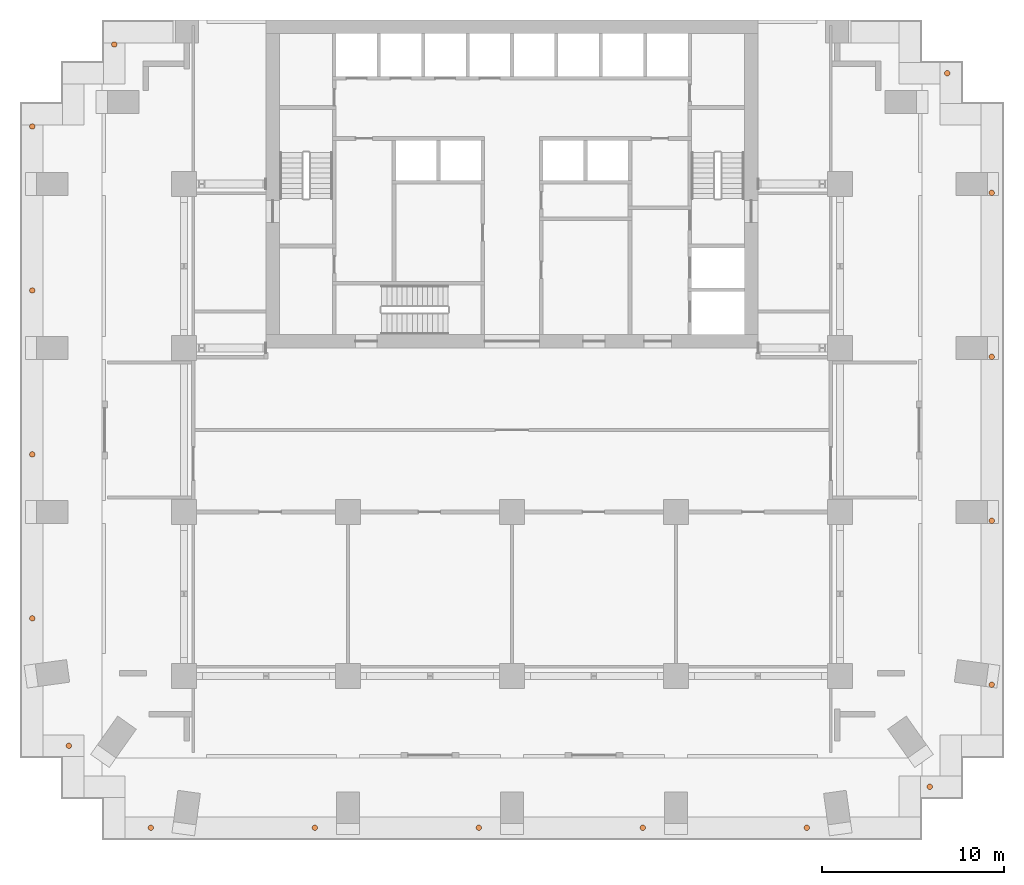
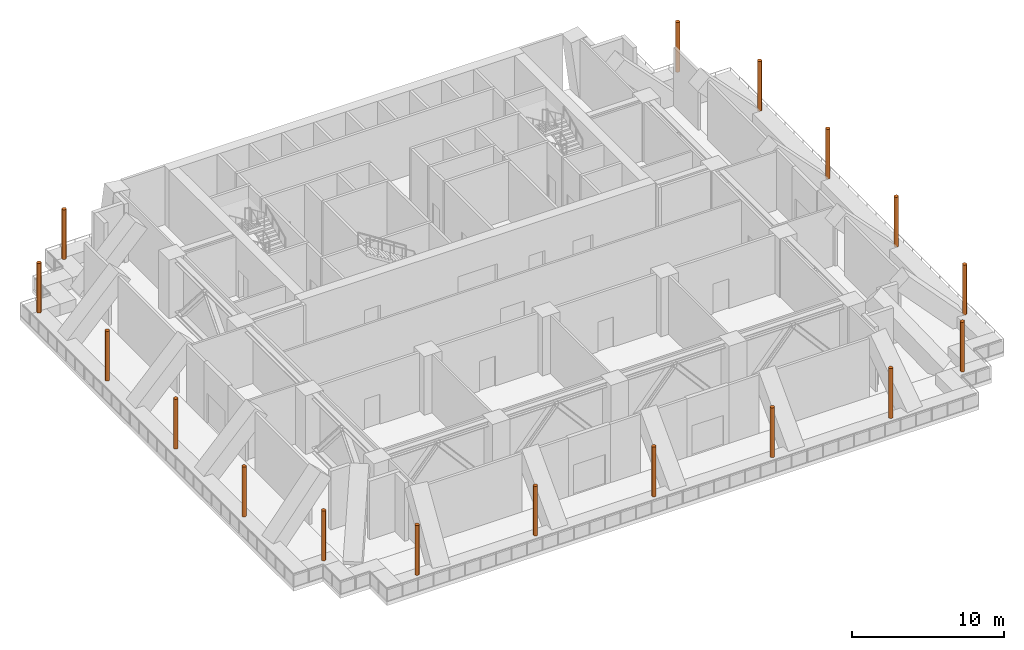
# One storey, part 9 of 9: 17 geographic elements.
"""IFC4 building model written with IfcOpenShell, lengths in metres."""

import ifcopenshell
import ifcopenshell.guid

model = None  # the IFC model being written
_history = None  # IfcOwnerHistory: only IFC2X3 demands one
_inside = {}  # id of a spatial element -> (the spatial element, [elements in it])
_under = {}  # id of a project, library or spatial element -> (it, [spatial elements below it])
_declared = {}  # id of a project -> (the project, [libraries it declares])
_typed = {}  # id of a type object -> (the type object, [elements of that type])
_made_of = {}  # id of a material, layer set ... -> (it, [elements and type objects made of it])


def new_model(schema):
    """Start an empty IFC model of exactly this schema.

    Asked for "IFC4X3", IfcOpenShell would pick the latest addendum, in which some entities
    have other attributes; the version numbers below select the first issue.
    IFC2X3 requires an IfcOwnerHistory on every rooted entity: one is made here for all.
    """
    global model, _history
    if schema == "IFC4X3":
        model = ifcopenshell.file(schema_version=(4, 3, 0, 0))
    else:
        model = ifcopenshell.file(schema=schema)
    _inside.clear()
    _under.clear()
    _declared.clear()
    _typed.clear()
    _made_of.clear()
    _history = None
    if model.schema == "IFC2X3":
        org = make("IfcOrganization", Name="unknown")
        user = make(
            "IfcPersonAndOrganization",
            ThePerson=make("IfcPerson", FamilyName="unknown"),
            TheOrganization=org,
        )
        app = make(
            "IfcApplication",
            ApplicationDeveloper=org,
            Version="unknown",
            ApplicationFullName="unknown",
            ApplicationIdentifier="unknown",
        )
        _history = make(
            "IfcOwnerHistory",
            OwningUser=user,
            OwningApplication=app,
            ChangeAction="ADDED",
            CreationDate=0,
        )
    return model


def make(cls, **values):
    """One entity of the class cls with the attributes given. An attribute that is None is left unset."""
    return model.create_entity(
        cls, **{name: value for name, value in values.items() if value is not None}
    )


def rooted(cls, **values):
    """An entity with a GlobalId (a new one), such as an element, a storey or a relation."""
    return make(cls, GlobalId=ifcopenshell.guid.new(), OwnerHistory=_history, **values)


def si_unit(unit_type, name, prefix=None):
    """IfcSIUnit, for example si_unit("LENGTHUNIT", "METRE", prefix="MILLI")."""
    return make("IfcSIUnit", UnitType=unit_type, Prefix=prefix, Name=name)


def assignment(units):
    """IfcUnitAssignment: the units of a project."""
    return None if units is None else make("IfcUnitAssignment", Units=units)


def point(xyz):
    """IfcCartesianPoint."""
    return None if xyz is None else make("IfcCartesianPoint", Coordinates=xyz)


def direction(xyz):
    """IfcDirection."""
    return None if xyz is None else make("IfcDirection", DirectionRatios=xyz)


def frame(location, z_axis=None, x_axis=None):
    """IfcAxis2Placement3D, a coordinate frame: its origin and axes. An axis left out is left unset."""
    return make(
        "IfcAxis2Placement3D",
        Location=point(location),
        Axis=direction(z_axis),
        RefDirection=direction(x_axis),
    )


def frame_2d(location, x_axis=None):
    """IfcAxis2Placement2D, a coordinate frame in the plane: its origin and x axis."""
    return make(
        "IfcAxis2Placement2D", Location=point(location), RefDirection=direction(x_axis)
    )


def origin():
    """The frame at (0, 0, 0) with its axes left unset."""
    return frame((0.0, 0.0, 0.0))


def origin_2d():
    """The frame at (0, 0) in the plane with its x axis left unset."""
    return frame_2d((0.0, 0.0))


def place(relative_to, where):
    """IfcLocalPlacement: puts the frame where relative to a parent placement (None: the world)."""
    return make(
        "IfcLocalPlacement", PlacementRelTo=relative_to, RelativePlacement=where
    )


def context(
    kind, dimensions, precision=None, world=None, true_north=None, identifier=None
):
    """IfcGeometricRepresentationContext, for example the 3D "Model" context."""
    return make(
        "IfcGeometricRepresentationContext",
        ContextIdentifier=identifier,
        ContextType=kind,
        CoordinateSpaceDimension=dimensions,
        Precision=precision,
        WorldCoordinateSystem=world,
        TrueNorth=true_north,
    )


def subcontext(parent, identifier, kind, view, scale=None):
    """IfcGeometricRepresentationSubContext, for example "Body" below "Model"."""
    return make(
        "IfcGeometricRepresentationSubContext",
        ContextIdentifier=identifier,
        ContextType=kind,
        ParentContext=parent,
        TargetScale=scale,
        TargetView=view,
    )


def project(units=None, contexts=None):
    """IfcProject with its units and contexts."""
    return rooted(
        "IfcProject",
        Name="project",
        RepresentationContexts=contexts,
        UnitsInContext=assignment(units),
    )


def spatial(cls, under=None, at=None, **own):
    """A site, building, storey or space (cls), placed at a placement, below another one or the project."""
    s = rooted(cls, ObjectPlacement=at, **own)
    if under is not None:
        _under.setdefault(under.id(), (under, []))[1].append(s)
    return s


def profile(cls, at=None, kind="AREA", **sizes):
    """A parametric profile (cls). Its sizes go by their IFC names, for example OverallWidth=200.0."""
    return make(cls, ProfileType=kind, Position=at, **sizes)


def circle(**sizes):
    """IfcCircleProfileDef."""
    return profile("IfcCircleProfileDef", **sizes)


def extrude(swept, where, along, depth):
    """IfcExtrudedAreaSolid: the profile swept, set in the frame where, extruded along a direction by depth."""
    return make(
        "IfcExtrudedAreaSolid",
        SweptArea=swept,
        Position=where,
        ExtrudedDirection=direction(along),
        Depth=depth,
    )


def shape(context_of_items, identifier, shape_type, items):
    """IfcShapeRepresentation: the items that make up one representation, for example the "Body"."""
    return make(
        "IfcShapeRepresentation",
        ContextOfItems=context_of_items,
        RepresentationIdentifier=identifier,
        RepresentationType=shape_type,
        Items=items,
    )


def material(Name=None, Category=None):
    """IfcMaterial."""
    return make("IfcMaterial", Name=Name, Category=Category)


def made_of(thing, what):
    """Note that an element or type object is made of a material, layer set ...; save() writes the relation."""
    if what is not None:
        _made_of.setdefault(what.id(), (what, []))[1].append(thing)
    return thing


def type_object(cls, material=None, **own):
    """A type object (cls), such as IfcWallType, which elements share."""
    return made_of(rooted(cls, **own), material)


def element(
    cls,
    number,
    at=None,
    inside=None,
    cuts=None,
    type_object=None,
    material=None,
    context=None,
    identifier="Body",
    shape_type=None,
    held_by="IfcProductDefinitionShape",
    body=None,
    shapes=None,
    **own,
):
    """One element of the class cls, such as IfcWall. Its Tag is "e" and its number.

    at: its placement. inside: the storey or other place that contains it. cuts: it is an
    opening in that element (IfcRelVoidsElement). A single representation is given by context,
    identifier, shape_type and body (its items); several are given by shapes. held_by: the class
    of the entity that holds the representations. save() writes the other relations.
    """
    e = rooted(cls, Tag="e%d" % number, ObjectPlacement=at, **own)
    if body is not None:
        shapes = [shape(context, identifier, shape_type, body)]
    if shapes is not None:
        e.Representation = make(held_by, Representations=shapes)
    if inside is not None:
        _inside.setdefault(inside.id(), (inside, []))[1].append(e)
    if cuts is not None:
        rooted(
            "IfcRelVoidsElement", RelatingBuildingElement=cuts, RelatedOpeningElement=e
        )
    if type_object is not None:
        _typed.setdefault(type_object.id(), (type_object, []))[1].append(e)
    return made_of(e, material)


def aggregate(whole, parts):
    """IfcRelAggregates: a whole, such as a stair, and the parts it consists of."""
    return rooted("IfcRelAggregates", RelatingObject=whole, RelatedObjects=parts)


def save(model, path):
    """Write the relations noted so far, then the file.

    IfcRelAggregates (storeys below a building ...), IfcRelContainedInSpatialStructure (elements
    in a storey), IfcRelDefinesByType, IfcRelAssociatesMaterial and IfcRelDeclares: one each for
    every whole, place, type object, material and project.
    """
    for whole, parts in _under.values():
        aggregate(whole, parts)
    for where, things in _inside.values():
        rooted(
            "IfcRelContainedInSpatialStructure",
            RelatedElements=things,
            RelatingStructure=where,
        )
    for kind, things in _typed.values():
        rooted("IfcRelDefinesByType", RelatedObjects=things, RelatingType=kind)
    for what, things in _made_of.values():
        rooted("IfcRelAssociatesMaterial", RelatedObjects=things, RelatingMaterial=what)
    for by, libraries in _declared.values():
        rooted("IfcRelDeclares", RelatingContext=by, RelatedDefinitions=libraries)
    model.write(path)


model = new_model("IFC4")

# Units and contexts
model_context = context("Model", 3, precision=1e-05, world=origin(), true_north=direction((0.0, 1.0)))
body_context = subcontext(model_context, "Body", "Model", "MODEL_VIEW")
ifc_project = project(units=[si_unit("LENGTHUNIT", "METRE"), si_unit("AREAUNIT", "SQUARE_METRE"), si_unit("VOLUMEUNIT", "CUBIC_METRE"), si_unit("PLANEANGLEUNIT", "RADIAN"), si_unit("MASSUNIT", "GRAM", prefix="KILO")], contexts=[model_context])

# Site, building, storey
site_placement = place(None, origin())
site = spatial("IfcSite", under=ifc_project, at=site_placement, CompositionType="ELEMENT")
building_placement = place(site_placement, origin())
building = spatial("IfcBuilding", under=site, at=building_placement, Name="Orbiselva Terraces", CompositionType="ELEMENT")
storey_placement = place(building_placement, frame((0.0, 0.0, 115.0)))
storey = spatial("IfcBuildingStorey", under=building, at=storey_placement, Name="L29", CompositionType="ELEMENT", Elevation=115.0)

# Geographic elements
ifc_material = material(Name="Planted tree")
geographic_element_type = type_object("IfcGeographicElementType", Name="ENV-TREE-300x4000", PredefinedType="USERDEFINED", material=ifc_material)
for number, where, z_axis, x_axis, name in (
    (1, (-21.83, 21.16, 4.9), (0.0, 0.0, -1.0), (1.0, 0.0, 0.0), "Tree L29"),
    (2, (-26.33, 16.66, 4.9), (0.0, 0.0, -1.0), (1.0, 0.0, 0.0), "Tree L29"),
    (3, (-26.33, 7.66, 4.9), (0.0, 0.0, -1.0), (1.0, 0.0, 0.0), "Tree L29"),
    (4, (-26.33, -1.34, 4.9), (0.0, 0.0, -1.0), (1.0, 0.0, 0.0), "Tree L29"),
    (5, (-26.33, -10.34, 4.9), (0.0, 0.0, -1.0), (1.0, 0.0, 0.0), "Tree L29"),
    (6, (-24.32, -17.33, 4.9), (0.0, 0.0, -1.0), (1.0, 0.0, 0.0), "Tree L29"),
    (7, (-19.82, -21.83, 4.9), (0.0, 0.0, -1.0), (1.0, 0.0, 0.0), "Tree L29"),
    (8, (-10.82, -21.83, 4.9), (0.0, 0.0, -1.0), (1.0, 0.0, 0.0), "Tree L29"),
    (9, (-1.82, -21.83, 4.9), (0.0, 0.0, -1.0), (1.0, 0.0, 0.0), "Tree L29"),
    (10, (7.18, -21.83, 4.9), (0.0, 0.0, -1.0), (1.0, 0.0, 0.0), "Tree L29"),
    (11, (16.18, -21.83, 4.9), (0.0, 0.0, -1.0), (1.0, 0.0, 0.0), "Tree L29"),
    (12, (22.93, -19.58, 4.9), (0.0, 0.0, -1.0), (1.0, 0.0, 0.0), "Tree L29"),
    (13, (26.33, -13.98, 4.9), (0.0, 0.0, -1.0), (1.0, 0.0, 0.0), "Tree L29"),
    (14, (26.33, -4.98, 4.9), (0.0, 0.0, -1.0), (1.0, 0.0, 0.0), "Tree L29"),
    (15, (26.33, 4.02, 4.9), (0.0, 0.0, -1.0), (1.0, 0.0, 0.0), "Tree L29"),
    (16, (26.33, 13.02, 4.9), (0.0, 0.0, -1.0), (1.0, 0.0, 0.0), "Tree L29"),
    (17, (23.89, 19.58, 4.9), (0.0, 0.0, -1.0), (1.0, 0.0, 0.0), "Tree L29"),
):
    element("IfcGeographicElement", number, at=place(storey_placement, frame(where, z_axis=z_axis, x_axis=x_axis)), inside=storey, type_object=geographic_element_type, Name=name, ObjectType="TREE", PredefinedType="USERDEFINED", context=body_context, shape_type="SweptSolid", body=[
        extrude(circle(Radius=0.15, at=origin_2d()), origin(), (0.0, 0.0, 1.0), 4.0),
    ])

save(model, "model.ifc")
